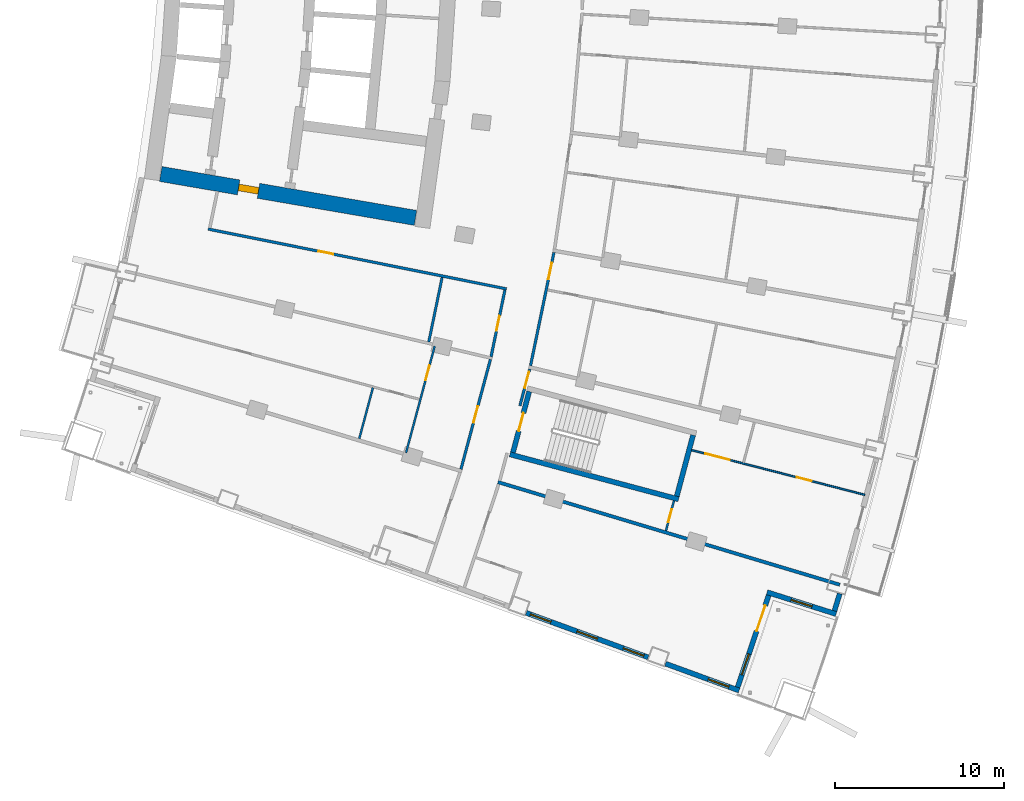
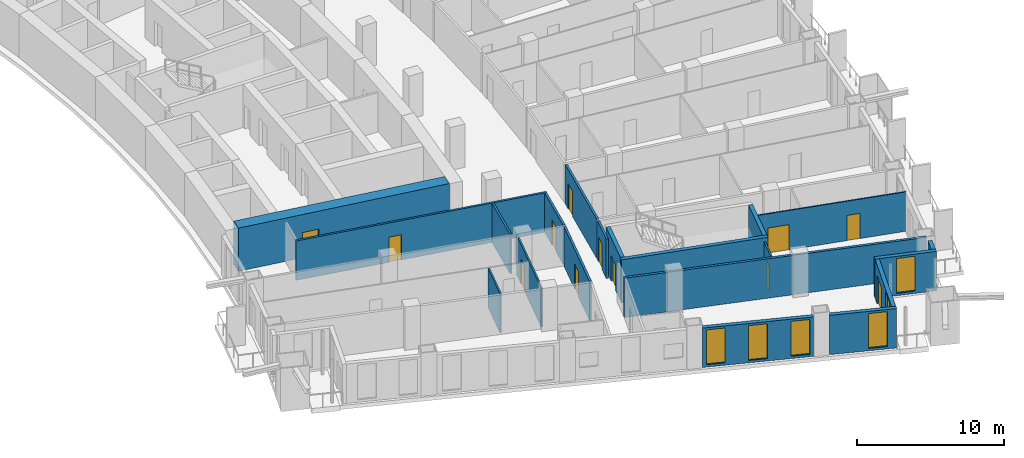
# One storey, part 12 of 23: 20 walls, 12 doors, 6 windows, 18 openings.
"""IFC4 building model written with IfcOpenShell, lengths in metres."""

from ifc_helpers import new_model, si_unit, direction, frame, frame_2d, origin, place, context, subcontext, project, spatial, rectangle, extrude, material, layer, layer_set, type_object, element, fill, save


model = new_model("IFC4")

# Units and contexts
model_context = context("Model", 3, precision=1e-05, world=origin(), true_north=direction((0.0, 1.0)))
body_context = subcontext(model_context, "Body", "Model", "MODEL_VIEW")
ifc_project = project(units=[si_unit("LENGTHUNIT", "METRE"), si_unit("AREAUNIT", "SQUARE_METRE"), si_unit("VOLUMEUNIT", "CUBIC_METRE"), si_unit("PLANEANGLEUNIT", "RADIAN"), si_unit("MASSUNIT", "GRAM", prefix="KILO")], contexts=[model_context])

# Site, building, storey
site_placement = place(None, origin())
site = spatial("IfcSite", under=ifc_project, at=site_placement, CompositionType="ELEMENT")
building_placement = place(site_placement, origin())
building = spatial("IfcBuilding", under=site, at=building_placement, Name="Alderwake Tower", CompositionType="ELEMENT")
storey_placement = place(building_placement, frame((0.0, 0.0, 71.60009765625)))
storey = spatial("IfcBuildingStorey", under=building, at=storey_placement, Name="L17", CompositionType="ELEMENT", Elevation=71.60009765625)

# Wall, opening, door
ifc_material_1 = material(Name="Concrete C70/85", Category="concrete")
ifc_layer_1 = layer(ifc_material_1, 0.89990234375)
ifc_layer_set_1 = layer_set([ifc_layer_1], Name="Core wall outer 900 C70-85")
wall_type_1 = type_object("IfcWallType", Name="Core wall outer 900 C70-85", PredefinedType="SHEAR", material=ifc_layer_set_1)
wall_1_placement = place(storey_placement, frame((31.11328125, 41.846923828125, 0.0), z_axis=(0.0, 0.0, 1.0), x_axis=(-0.985466640605, 0.169869067972, 0.0)))
wall_1 = element("IfcWall", 1, at=wall_1_placement, inside=storey, type_object=wall_type_1, Name="Core wall CW.070", PredefinedType="SHEAR", context=body_context, shape_type="SweptSolid", body=[
    extrude(rectangle(XDim=15.336669921875, YDim=0.89990234375, at=frame_2d((7.66845703125, 0.0))), origin(), (0.0, 0.0, 1.0), 3.599853515625),
])
opening_1_placement = place(wall_1_placement, frame((9.451904296875, 0.0, 0.0)))
opening_1 = element("IfcOpeningElement", 2, at=opening_1_placement, cuts=wall_1, Name="Opening C003", PredefinedType="OPENING", context=body_context, shape_type="SweptSolid", body=[
    extrude(rectangle(XDim=1.199951171875, YDim=2.10009765625, at=frame_2d((0.60009765625, 1.050048828125))), frame((0.0, 0.4599609375, 0.0), z_axis=(0.0, -1.0, 0.0), x_axis=(1.0, 0.0, 0.0)), (0.0, 0.0, 1.0), 0.919921875),
])
ifc_material_2 = material(Name="Steel-framed fire door leaf", Category="steel")
door_type_1 = type_object("IfcDoorType", Name="Core lobby exit door 1200 fire-rated", OperationType="SINGLE_SWING_LEFT", PredefinedType="DOOR", material=ifc_material_2)
door_1_placement = place(opening_1_placement, origin())
door_1 = element("IfcDoor", 3, at=door_1_placement, inside=storey, type_object=door_type_1, Name="Lobby door", OperationType="SINGLE_SWING_LEFT", OverallHeight=2.10009765625, OverallWidth=1.199951171875, PredefinedType="DOOR", context=body_context, shape_type="SweptSolid", body=[
    extrude(rectangle(XDim=1.199951171875, YDim=2.10009765625, at=frame_2d((0.60009765625, 1.050048828125))), frame((0.0, 0.199951171875, 0.0), z_axis=(0.0, -1.0, 0.0), x_axis=(1.0, 0.0, 0.0)), (0.0, 0.0, 1.0), 0.39990234375),
])
fill(opening_1, door_1)

# Wall
ifc_material_3 = material(Name="Concrete C70/85", Category="concrete")
ifc_layer_2 = layer(ifc_material_3, 0.300048828125)
ifc_layer_set_2 = layer_set([ifc_layer_2], Name="Core wall stair enclosure 300 C70-85")
wall_type_2 = type_object("IfcWallType", Name="Core wall stair enclosure 300 C70-85", PredefinedType="SHEAR", material=ifc_layer_set_2)
wall_2_placement = place(storey_placement, frame((36.71142578125, 27.817626953125, 0.0), z_axis=(0.0, 0.0, 1.0), x_axis=(0.966309214305, -0.257383958996, 0.0)))
element("IfcWall", 4, at=wall_2_placement, inside=storey, type_object=wall_type_2, Name="Core wall CW.088", PredefinedType="SHEAR", context=body_context, shape_type="SweptSolid", body=[
    extrude(rectangle(XDim=10.360107421875, YDim=0.300048828125, at=frame_2d((5.18017578125, 0.0))), origin(), (0.0, 0.0, 1.0), 3.599853515625),
])

# Wall, opening, door
wall_3_placement = place(storey_placement, frame((36.89501953125, 27.923828125, 0.0), z_axis=(0.0, 0.0, 1.0), x_axis=(0.257350630826, 0.966318090907, 0.0)))
wall_3 = element("IfcWall", 5, at=wall_3_placement, inside=storey, type_object=wall_type_2, Name="Core wall CW.087", PredefinedType="SHEAR", context=body_context, shape_type="SweptSolid", body=[
    extrude(rectangle(XDim=3.75, YDim=0.300048828125, at=frame_2d((1.875, 0.0))), origin(), (0.0, 0.0, 1.0), 3.599853515625),
])
opening_2_placement = place(wall_3_placement, frame((1.324951171875, 0.0, 0.0)))
opening_2 = element("IfcOpeningElement", 6, at=opening_2_placement, cuts=wall_3, Name="Opening C065", PredefinedType="OPENING", context=body_context, shape_type="SweptSolid", body=[
    extrude(rectangle(XDim=1.10009765625, YDim=2.10009765625, at=frame_2d((0.550048828125, 1.050048828125))), frame((0.0, 0.159912109375, 0.0), z_axis=(0.0, -1.0, 0.0), x_axis=(1.0, 0.0, 0.0)), (0.0, 0.0, 1.0), 0.320068359375),
])
ifc_material_4 = material(Name="Steel-framed fire door leaf", Category="steel")
door_type_2 = type_object("IfcDoorType", Name="Core stair door 1100 fire-rated", OperationType="SINGLE_SWING_LEFT", PredefinedType="DOOR", material=ifc_material_4)
door_2_placement = place(opening_2_placement, origin())
door_2 = element("IfcDoor", 7, at=door_2_placement, inside=storey, type_object=door_type_2, Name="Stair door", OperationType="SINGLE_SWING_LEFT", OverallHeight=2.10009765625, OverallWidth=1.10009765625, PredefinedType="DOOR", context=body_context, shape_type="SweptSolid", body=[
    extrude(rectangle(XDim=1.10009765625, YDim=2.10009765625, at=frame_2d((0.550048828125, 1.050048828125))), frame((0.0, 0.02490234375, 0.0), z_axis=(0.0, -1.0, 0.0), x_axis=(1.0, 0.0, 0.0)), (0.0, 0.0, 1.0), 0.050048828125),
])
fill(opening_2, door_2)

# Wall
wall_4_placement = place(storey_placement, frame((46.6162109375, 25.334716796875, 0.0), z_axis=(0.0, 0.0, 1.0), x_axis=(0.257366821694, 0.966313778796, 0.0)))
element("IfcWall", 8, at=wall_4_placement, inside=storey, type_object=wall_type_2, Name="Core wall CW.085", PredefinedType="SHEAR", context=body_context, shape_type="SweptSolid", body=[
    extrude(rectangle(XDim=3.749755859375, YDim=0.300048828125, at=frame_2d((1.875, 0.0))), origin(), (0.0, 0.0, 1.0), 3.599853515625),
])

# Wall, opening, door
ifc_material_5 = material(Name="Gypsum board on metal studs, rated")
ifc_layer_3 = layer(ifc_material_5, 0.159912109375)
ifc_layer_set_3 = layer_set([ifc_layer_3], Name="Corridor wall 160")
wall_type_3 = type_object("IfcWallType", Name="Corridor wall 160", PredefinedType="PARTITIONING", material=ifc_layer_set_3)
wall_5_placement = place(storey_placement, frame((36.513427734375, 37.63427734375, 0.0), z_axis=(0.0, 0.0, 1.0), x_axis=(-0.980470254867, 0.1966674333, 0.0)))
wall_5 = element("IfcWall", 9, at=wall_5_placement, inside=storey, type_object=wall_type_3, Name="WL/L17/W18", PredefinedType="PARTITIONING", context=body_context, shape_type="SweptSolid", body=[
    extrude(rectangle(XDim=18.053466796875, YDim=0.159912109375, at=frame_2d((9.02685546875, 0.0))), origin(), (0.0, 0.0, 1.0), 3.27978515625),
])
opening_3_placement = place(wall_5_placement, frame((10.476806640625, 0.0, 0.0)))
opening_3 = element("IfcOpeningElement", 10, at=opening_3_placement, cuts=wall_5, Name="Opening R04-SBS1", PredefinedType="OPENING", context=body_context, shape_type="SweptSolid", body=[
    extrude(rectangle(XDim=0.89990234375, YDim=2.10009765625, at=frame_2d((0.449951171875, 1.050048828125))), frame((0.0, 0.08984375, 0.0), z_axis=(0.0, -1.0, 0.0), x_axis=(1.0, 0.0, 0.0)), (0.0, 0.0, 1.0), 0.179931640625),
])
ifc_material_6 = material(Name="Painted timber leaf", Category="wood")
door_type_3 = type_object("IfcDoorType", Name="Room door 900", OperationType="SINGLE_SWING_LEFT", PredefinedType="DOOR", material=ifc_material_6)
door_3_placement = place(opening_3_placement, origin())
door_3 = element("IfcDoor", 11, at=door_3_placement, inside=storey, type_object=door_type_3, Name="DR/L17/SBS1", OperationType="SINGLE_SWING_LEFT", OverallHeight=2.10009765625, OverallWidth=0.89990234375, PredefinedType="DOOR", context=body_context, shape_type="SweptSolid", body=[
    extrude(rectangle(XDim=0.89990234375, YDim=2.10009765625, at=frame_2d((0.449951171875, 1.050048828125))), frame((0.0, 0.02490234375, 0.0), z_axis=(0.0, -1.0, 0.0), x_axis=(1.0, 0.0, 0.0)), (0.0, 0.0, 1.0), 0.050048828125),
])
fill(opening_3, door_3)

wall_6_placement = place(storey_placement, frame((33.808837890625, 26.9345703125, 0.0), z_axis=(0.0, 0.0, 1.0), x_axis=(0.259298911818, 0.965797118618, 0.0)))
wall_6 = element("IfcWall", 12, at=wall_6_placement, inside=storey, type_object=wall_type_3, Name="WL/L17/W25", PredefinedType="PARTITIONING", context=body_context, shape_type="SweptSolid", body=[
    extrude(rectangle(XDim=6.75, YDim=0.159912109375, at=frame_2d((3.375, 0.0))), origin(), (0.0, 0.0, 1.0), 3.27978515625),
])
opening_4_placement = place(wall_6_placement, frame((2.875, 0.0, 0.0)))
opening_4 = element("IfcOpeningElement", 13, at=opening_4_placement, cuts=wall_6, Name="Opening R04-U13.1", PredefinedType="OPENING", context=body_context, shape_type="SweptSolid", body=[
    extrude(rectangle(XDim=1.0, YDim=2.10009765625, at=frame_2d((0.5, 1.050048828125))), frame((0.0, 0.08984375, 0.0), z_axis=(0.0, -1.0, 0.0), x_axis=(1.0, 0.0, 0.0)), (0.0, 0.0, 1.0), 0.179931640625),
])
ifc_material_7 = material(Name="Solid timber leaf in steel frame", Category="steel")
door_type_4 = type_object("IfcDoorType", Name="Flat entrance door 1000 fire-rated", OperationType="SINGLE_SWING_LEFT", PredefinedType="DOOR", material=ifc_material_7)
door_4_placement = place(opening_4_placement, origin())
door_4 = element("IfcDoor", 14, at=door_4_placement, inside=storey, type_object=door_type_4, Name="DR/L17/U13.1", OperationType="SINGLE_SWING_LEFT", OverallHeight=2.10009765625, OverallWidth=1.0, PredefinedType="DOOR", context=body_context, shape_type="SweptSolid", body=[
    extrude(rectangle(XDim=1.0, YDim=2.10009765625, at=frame_2d((0.5, 1.050048828125))), frame((0.0, 0.02490234375, 0.0), z_axis=(0.0, -1.0, 0.0), x_axis=(1.0, 0.0, 0.0)), (0.0, 0.0, 1.0), 0.050048828125),
])
fill(opening_4, door_4)

wall_7_placement = place(storey_placement, frame((35.59619140625, 33.609375, 0.0), z_axis=(0.0, 0.0, 1.0), x_axis=(0.203245920818, 0.979127721838, 0.0)))
wall_7 = element("IfcWall", 15, at=wall_7_placement, inside=storey, type_object=wall_type_3, Name="WL/L17/W30", PredefinedType="PARTITIONING", context=body_context, shape_type="SweptSolid", body=[
    extrude(rectangle(XDim=4.046875, YDim=0.159912109375, at=frame_2d((2.0234375, 0.0))), origin(), (0.0, 0.0, 1.0), 3.27978515625),
])
opening_5_placement = place(wall_7_placement, frame((1.573486328125, 0.0, 0.0)))
opening_5 = element("IfcOpeningElement", 16, at=opening_5_placement, cuts=wall_7, Name="Opening R04-SBS2", PredefinedType="OPENING", context=body_context, shape_type="SweptSolid", body=[
    extrude(rectangle(XDim=0.89990234375, YDim=2.10009765625, at=frame_2d((0.449951171875, 1.050048828125))), frame((0.0, 0.08984375, 0.0), z_axis=(0.0, -1.0, 0.0), x_axis=(1.0, 0.0, 0.0)), (0.0, 0.0, 1.0), 0.179931640625),
])
door_5_placement = place(opening_5_placement, origin())
door_5 = element("IfcDoor", 17, at=door_5_placement, inside=storey, type_object=door_type_3, Name="DR/L17/SBS2", OperationType="SINGLE_SWING_LEFT", OverallHeight=2.10009765625, OverallWidth=0.89990234375, PredefinedType="DOOR", context=body_context, shape_type="SweptSolid", body=[
    extrude(rectangle(XDim=0.89990234375, YDim=2.10009765625, at=frame_2d((0.449951171875, 1.050048828125))), frame((0.0, 0.02490234375, 0.0), z_axis=(0.0, -1.0, 0.0), x_axis=(1.0, 0.0, 0.0)), (0.0, 0.0, 1.0), 0.050048828125),
])
fill(opening_5, door_5)

wall_8_placement = place(storey_placement, frame((37.89111328125, 32.87939453125, 0.0), z_axis=(0.0, 0.0, 1.0), x_axis=(-0.259620578816, -0.965710699462, 0.0)))
wall_8 = element("IfcWall", 18, at=wall_8_placement, inside=storey, type_object=wall_type_3, Name="WL/L17/W33", PredefinedType="PARTITIONING", context=body_context, shape_type="SweptSolid", body=[
    extrude(rectangle(XDim=2.2578125, YDim=0.159912109375, at=frame_2d((1.12890625, 0.0))), origin(), (0.0, 0.0, 1.0), 3.27978515625),
])
opening_6_placement = place(wall_8_placement, frame((0.1708984375, 0.0, 0.0)))
opening_6 = element("IfcOpeningElement", 19, at=opening_6_placement, cuts=wall_8, Name="Opening R04-U01.1", PredefinedType="OPENING", context=body_context, shape_type="SweptSolid", body=[
    extrude(rectangle(XDim=1.0, YDim=2.10009765625, at=frame_2d((0.5, 1.050048828125))), frame((0.0, 0.08984375, 0.0), z_axis=(0.0, -1.0, 0.0), x_axis=(1.0, 0.0, 0.0)), (0.0, 0.0, 1.0), 0.179931640625),
])
door_6_placement = place(opening_6_placement, origin())
door_6 = element("IfcDoor", 20, at=door_6_placement, inside=storey, type_object=door_type_4, Name="DR/L17/U01.1", OperationType="SINGLE_SWING_LEFT", OverallHeight=2.10009765625, OverallWidth=1.0, PredefinedType="DOOR", context=body_context, shape_type="SweptSolid", body=[
    extrude(rectangle(XDim=1.0, YDim=2.10009765625, at=frame_2d((0.5, 1.050048828125))), frame((0.0, 0.02490234375, 0.0), z_axis=(0.0, -1.0, 0.0), x_axis=(1.0, 0.0, 0.0)), (0.0, 0.0, 1.0), 0.050048828125),
])
fill(opening_6, door_6)

wall_9_placement = place(storey_placement, frame((39.32763671875, 39.799072265625, 0.0), z_axis=(0.0, 0.0, 1.0), x_axis=(-0.202463357072, -0.97928983914, 0.0)))
wall_9 = element("IfcWall", 21, at=wall_9_placement, inside=storey, type_object=wall_type_3, Name="WL/L17/W34", PredefinedType="PARTITIONING", context=body_context, shape_type="SweptSolid", body=[
    extrude(rectangle(XDim=6.867431640625, YDim=0.159912109375, at=frame_2d((3.43359375, 0.0))), origin(), (0.0, 0.0, 1.0), 3.27978515625),
])
opening_7_placement = place(wall_9_placement, frame((0.62744140625, 0.0, 0.0)))
opening_7 = element("IfcOpeningElement", 22, at=opening_7_placement, cuts=wall_9, Name="Opening R04-U05.2", PredefinedType="OPENING", context=body_context, shape_type="SweptSolid", body=[
    extrude(rectangle(XDim=1.0, YDim=2.10009765625, at=frame_2d((0.5, 1.050048828125))), frame((0.0, 0.08984375, 0.0), z_axis=(0.0, -1.0, 0.0), x_axis=(1.0, 0.0, 0.0)), (0.0, 0.0, 1.0), 0.179931640625),
])
door_7_placement = place(opening_7_placement, origin())
door_7 = element("IfcDoor", 23, at=door_7_placement, inside=storey, type_object=door_type_4, Name="DR/L17/U05.2", OperationType="SINGLE_SWING_LEFT", OverallHeight=2.10009765625, OverallWidth=1.0, PredefinedType="DOOR", context=body_context, shape_type="SweptSolid", body=[
    extrude(rectangle(XDim=1.0, YDim=2.10009765625, at=frame_2d((0.5, 1.050048828125))), frame((0.0, 0.02490234375, 0.0), z_axis=(0.0, -1.0, 0.0), x_axis=(1.0, 0.0, 0.0)), (0.0, 0.0, 1.0), 0.050048828125),
])
fill(opening_7, door_7)

# Wall
ifc_material_8 = material(Name="Precast concrete C50/60 spandrel panel", Category="concrete")
ifc_layer_4 = layer(ifc_material_8, 0.300048828125)
ifc_layer_set_4 = layer_set([ifc_layer_4], Name="External wall EW1 Precast concrete C50/60 spandrel")
wall_type_4 = type_object("IfcWallType", Name="External wall EW1 Precast concrete C50/60 spandrel", PredefinedType="SOLIDWALL", material=ifc_layer_set_4)
wall_10_placement = place(storey_placement, frame((55.968994140625, 18.53125, 0.0), z_axis=(0.0, 0.0, 1.0), x_axis=(0.29467833964, 0.955596502791, 0.0)))
element("IfcWall", 24, at=wall_10_placement, inside=storey, type_object=wall_type_4, Name="External wall 11", PredefinedType="SOLIDWALL", context=body_context, shape_type="SweptSolid", body=[
    extrude(rectangle(XDim=1.0712890625, YDim=0.300048828125, at=frame_2d((0.53564453125, 0.0))), origin(), (0.0, 0.0, 1.0), 3.27978515625),
])

# Wall, openings, windows
ifc_material_9 = material(Name="Bronze metal cladding on lightweight framing")
ifc_layer_5 = layer(ifc_material_9, 0.300048828125)
ifc_layer_set_5 = layer_set([ifc_layer_5], Name="External wall EW2 bronze metal cladding")
wall_type_5 = type_object("IfcWallType", Name="External wall EW2 bronze metal cladding", PredefinedType="SOLIDWALL", material=ifc_layer_set_5)
wall_11_placement = place(storey_placement, frame((37.68310546875, 18.414794921875, 0.0), z_axis=(0.0, 0.0, 1.0), x_axis=(0.939374999544, -0.342891542958, 0.0)))
wall_11 = element("IfcWall", 25, at=wall_11_placement, inside=storey, type_object=wall_type_5, Name="External wall 7", PredefinedType="SOLIDWALL", context=body_context, shape_type="SweptSolid", body=[
    extrude(rectangle(XDim=7.696044921875, YDim=0.300048828125, at=frame_2d((3.84814453125, 0.0))), origin(), (0.0, 0.0, 1.0), 3.27978515625),
])
opening_8_placement = place(wall_11_placement, frame((0.264404296875, 0.0, 0.199951171875)))
opening_8 = element("IfcOpeningElement", 26, at=opening_8_placement, cuts=wall_11, Name="Opening W1", PredefinedType="OPENING", context=body_context, shape_type="SweptSolid", body=[
    extrude(rectangle(XDim=1.300048828125, YDim=2.89990234375, at=frame_2d((0.64990234375, 1.449951171875))), frame((0.0, 0.159912109375, 0.0), z_axis=(0.0, -1.0, 0.0), x_axis=(1.0, 0.0, 0.0)), (0.0, 0.0, 1.0), 0.320068359375),
])
opening_9_placement = place(wall_11_placement, frame((3.197998046875, 0.0, 0.199951171875)))
opening_9 = element("IfcOpeningElement", 27, at=opening_9_placement, cuts=wall_11, Name="Opening W1", PredefinedType="OPENING", context=body_context, shape_type="SweptSolid", body=[
    extrude(rectangle(XDim=1.300048828125, YDim=2.89990234375, at=frame_2d((0.64990234375, 1.449951171875))), frame((0.0, 0.159912109375, 0.0), z_axis=(0.0, -1.0, 0.0), x_axis=(1.0, 0.0, 0.0)), (0.0, 0.0, 1.0), 0.320068359375),
])
opening_10_placement = place(wall_11_placement, frame((6.13134765625, 0.0, 0.199951171875)))
opening_10 = element("IfcOpeningElement", 28, at=opening_10_placement, cuts=wall_11, Name="Opening W1", PredefinedType="OPENING", context=body_context, shape_type="SweptSolid", body=[
    extrude(rectangle(XDim=1.300048828125, YDim=2.89990234375, at=frame_2d((0.64990234375, 1.449951171875))), frame((0.0, 0.159912109375, 0.0), z_axis=(0.0, -1.0, 0.0), x_axis=(1.0, 0.0, 0.0)), (0.0, 0.0, 1.0), 0.320068359375),
])
ifc_material_10 = material(Name="Bronze tinted glass in aluminium frame", Category="aluminium")
window_type = type_object("IfcWindowType", Name="Window W1 tall fixed and vent", PartitioningType="DOUBLE_PANEL_VERTICAL", PredefinedType="WINDOW", material=ifc_material_10)
window_1_placement = place(opening_8_placement, origin())
window_1 = element("IfcWindow", 29, at=window_1_placement, inside=storey, type_object=window_type, Name="Window W1 tall fixed and vent", OverallHeight=2.89990234375, OverallWidth=1.300048828125, PartitioningType="DOUBLE_PANEL_VERTICAL", PredefinedType="WINDOW", context=body_context, shape_type="SweptSolid", body=[
    extrude(rectangle(XDim=1.300048828125, YDim=2.89990234375, at=frame_2d((0.64990234375, 1.449951171875))), frame((0.0, 0.030029296875, 0.0), z_axis=(0.0, -1.0, 0.0), x_axis=(1.0, 0.0, 0.0)), (0.0, 0.0, 1.0), 0.06005859375),
])
fill(opening_8, window_1)
window_2_placement = place(opening_9_placement, origin())
window_2 = element("IfcWindow", 30, at=window_2_placement, inside=storey, type_object=window_type, Name="Window W1 tall fixed and vent", OverallHeight=2.89990234375, OverallWidth=1.300048828125, PartitioningType="DOUBLE_PANEL_VERTICAL", PredefinedType="WINDOW", context=body_context, shape_type="SweptSolid", body=[
    extrude(rectangle(XDim=1.300048828125, YDim=2.89990234375, at=frame_2d((0.64990234375, 1.449951171875))), frame((0.0, 0.030029296875, 0.0), z_axis=(0.0, -1.0, 0.0), x_axis=(1.0, 0.0, 0.0)), (0.0, 0.0, 1.0), 0.06005859375),
])
fill(opening_9, window_2)
window_3_placement = place(opening_10_placement, origin())
window_3 = element("IfcWindow", 31, at=window_3_placement, inside=storey, type_object=window_type, Name="Window W1 tall fixed and vent", OverallHeight=2.89990234375, OverallWidth=1.300048828125, PartitioningType="DOUBLE_PANEL_VERTICAL", PredefinedType="WINDOW", context=body_context, shape_type="SweptSolid", body=[
    extrude(rectangle(XDim=1.300048828125, YDim=2.89990234375, at=frame_2d((0.64990234375, 1.449951171875))), frame((0.0, 0.030029296875, 0.0), z_axis=(0.0, -1.0, 0.0), x_axis=(1.0, 0.0, 0.0)), (0.0, 0.0, 1.0), 0.06005859375),
])
fill(opening_10, window_3)

# Wall, opening, window
wall_12_placement = place(storey_placement, frame((45.94970703125, 15.3974609375, 0.0), z_axis=(0.0, 0.0, 1.0), x_axis=(0.939360006806, -0.342932613807, 0.0)))
wall_12 = element("IfcWall", 32, at=wall_12_placement, inside=storey, type_object=wall_type_5, Name="External wall 8", PredefinedType="SOLIDWALL", context=body_context, shape_type="SweptSolid", body=[
    extrude(rectangle(XDim=4.64599609375, YDim=0.300048828125, at=frame_2d((2.322998046875, 0.0))), origin(), (0.0, 0.0, 1.0), 3.27978515625),
])
opening_11_placement = place(wall_12_placement, frame((2.6962890625, 0.0, 0.199951171875)))
opening_11 = element("IfcOpeningElement", 33, at=opening_11_placement, cuts=wall_12, Name="Opening W1", PredefinedType="OPENING", context=body_context, shape_type="SweptSolid", body=[
    extrude(rectangle(XDim=1.300048828125, YDim=2.89990234375, at=frame_2d((0.64990234375, 1.449951171875))), frame((0.0, 0.159912109375, 0.0), z_axis=(0.0, -1.0, 0.0), x_axis=(1.0, 0.0, 0.0)), (0.0, 0.0, 1.0), 0.320068359375),
])
window_4_placement = place(opening_11_placement, origin())
window_4 = element("IfcWindow", 34, at=window_4_placement, inside=storey, type_object=window_type, Name="Window W1 tall fixed and vent", OverallHeight=2.89990234375, OverallWidth=1.300048828125, PartitioningType="DOUBLE_PANEL_VERTICAL", PredefinedType="WINDOW", context=body_context, shape_type="SweptSolid", body=[
    extrude(rectangle(XDim=1.300048828125, YDim=2.89990234375, at=frame_2d((0.64990234375, 1.449951171875))), frame((0.0, 0.030029296875, 0.0), z_axis=(0.0, -1.0, 0.0), x_axis=(1.0, 0.0, 0.0)), (0.0, 0.0, 1.0), 0.06005859375),
])
fill(opening_11, window_4)

# Wall, openings, door, window
wall_13_placement = place(storey_placement, frame((50.22119140625, 13.997802734375, 0.0), z_axis=(0.0, 0.0, 1.0), x_axis=(0.320867781559, 0.947123997562, 0.0)))
wall_13 = element("IfcWall", 35, at=wall_13_placement, inside=storey, type_object=wall_type_5, Name="External wall 9", PredefinedType="SOLIDWALL", context=body_context, shape_type="SweptSolid", body=[
    extrude(rectangle(XDim=5.7568359375, YDim=0.300048828125, at=frame_2d((2.87841796875, 0.0))), origin(), (0.0, 0.0, 1.0), 3.27978515625),
])
opening_12_placement = place(wall_13_placement, frame((0.789306640625, 0.0, 0.199951171875)))
opening_12 = element("IfcOpeningElement", 36, at=opening_12_placement, cuts=wall_13, Name="Opening W1", PredefinedType="OPENING", context=body_context, shape_type="SweptSolid", body=[
    extrude(rectangle(XDim=1.300048828125, YDim=2.89990234375, at=frame_2d((0.64990234375, 1.449951171875))), frame((0.0, 0.159912109375, 0.0), z_axis=(0.0, -1.0, 0.0), x_axis=(1.0, 0.0, 0.0)), (0.0, 0.0, 1.0), 0.320068359375),
])
opening_13_placement = place(wall_13_placement, frame((3.517578125, 0.0, 0.0)))
opening_13 = element("IfcOpeningElement", 37, at=opening_13_placement, cuts=wall_13, Name="Opening D02", PredefinedType="OPENING", context=body_context, shape_type="SweptSolid", body=[
    extrude(rectangle(XDim=1.60009765625, YDim=2.39990234375, at=frame_2d((0.800048828125, 1.199951171875))), frame((0.0, 0.159912109375, 0.0), z_axis=(0.0, -1.0, 0.0), x_axis=(1.0, 0.0, 0.0)), (0.0, 0.0, 1.0), 0.320068359375),
])
ifc_material_11 = material(Name="Bronze tinted glass in aluminium frame", Category="aluminium")
door_type_5 = type_object("IfcDoorType", Name="Terrace door TD sliding", OperationType="SLIDING_TO_LEFT", PredefinedType="DOOR", material=ifc_material_11)
door_8_placement = place(opening_13_placement, origin())
door_8 = element("IfcDoor", 38, at=door_8_placement, inside=storey, type_object=door_type_5, Name="Door D02", OperationType="SLIDING_TO_LEFT", OverallHeight=2.39990234375, OverallWidth=1.60009765625, PredefinedType="DOOR", context=body_context, shape_type="SweptSolid", body=[
    extrude(rectangle(XDim=1.60009765625, YDim=2.39990234375, at=frame_2d((0.800048828125, 1.199951171875))), frame((0.0, 0.02490234375, 0.0), z_axis=(0.0, -1.0, 0.0), x_axis=(1.0, 0.0, 0.0)), (0.0, 0.0, 1.0), 0.050048828125),
])
fill(opening_13, door_8)
window_5_placement = place(opening_12_placement, origin())
window_5 = element("IfcWindow", 39, at=window_5_placement, inside=storey, type_object=window_type, Name="Window W1 tall fixed and vent", OverallHeight=2.89990234375, OverallWidth=1.300048828125, PartitioningType="DOUBLE_PANEL_VERTICAL", PredefinedType="WINDOW", context=body_context, shape_type="SweptSolid", body=[
    extrude(rectangle(XDim=1.300048828125, YDim=2.89990234375, at=frame_2d((0.64990234375, 1.449951171875))), frame((0.0, 0.030029296875, 0.0), z_axis=(0.0, -1.0, 0.0), x_axis=(1.0, 0.0, 0.0)), (0.0, 0.0, 1.0), 0.06005859375),
])
fill(opening_12, window_5)

# Wall, opening, window
wall_14_placement = place(storey_placement, frame((51.973388671875, 19.637451171875, 0.0), z_axis=(0.0, 0.0, 1.0), x_axis=(0.953475206707, -0.301471441758, 0.0)))
wall_14 = element("IfcWall", 40, at=wall_14_placement, inside=storey, type_object=wall_type_5, Name="External wall 10", PredefinedType="SOLIDWALL", context=body_context, shape_type="SweptSolid", body=[
    extrude(rectangle(XDim=4.29443359375, YDim=0.300048828125, at=frame_2d((2.147216796875, 0.0))), origin(), (0.0, 0.0, 1.0), 3.27978515625),
])
opening_14_placement = place(wall_14_placement, frame((1.4970703125, 0.0, 0.199951171875)))
opening_14 = element("IfcOpeningElement", 41, at=opening_14_placement, cuts=wall_14, Name="Opening W1", PredefinedType="OPENING", context=body_context, shape_type="SweptSolid", body=[
    extrude(rectangle(XDim=1.300048828125, YDim=2.89990234375, at=frame_2d((0.64990234375, 1.449951171875))), frame((0.0, 0.159912109375, 0.0), z_axis=(0.0, -1.0, 0.0), x_axis=(1.0, 0.0, 0.0)), (0.0, 0.0, 1.0), 0.320068359375),
])
window_6_placement = place(opening_14_placement, origin())
window_6 = element("IfcWindow", 42, at=window_6_placement, inside=storey, type_object=window_type, Name="Window W1 tall fixed and vent", OverallHeight=2.89990234375, OverallWidth=1.300048828125, PartitioningType="DOUBLE_PANEL_VERTICAL", PredefinedType="WINDOW", context=body_context, shape_type="SweptSolid", body=[
    extrude(rectangle(XDim=1.300048828125, YDim=2.89990234375, at=frame_2d((0.64990234375, 1.449951171875))), frame((0.0, 0.030029296875, 0.0), z_axis=(0.0, -1.0, 0.0), x_axis=(1.0, 0.0, 0.0)), (0.0, 0.0, 1.0), 0.06005859375),
])
fill(opening_14, window_6)

# Walls
ifc_material_12 = material(Name="Dense block masonry wall", Category="masonry")
ifc_layer_6 = layer(ifc_material_12, 0.199951171875)
ifc_layer_set_6 = layer_set([ifc_layer_6], Name="Party wall 200")
wall_type_6 = type_object("IfcWallType", Name="Party wall 200", PredefinedType="SOLIDWALL", material=ifc_layer_set_6)
wall_15_placement = place(storey_placement, frame((36.00439453125, 26.1708984375, 0.0), z_axis=(0.0, 0.0, 1.0), x_axis=(0.957781220671, -0.287498057958, 0.0)))
element("IfcWall", 43, at=wall_15_placement, inside=storey, type_object=wall_type_6, Name="WL/L17/W05", PredefinedType="SOLIDWALL", context=body_context, shape_type="SweptSolid", body=[
    extrude(rectangle(XDim=21.1787109375, YDim=0.199951171875, at=frame_2d((10.58935546875, 0.0))), origin(), (0.0, 0.0, 1.0), 3.27978515625),
])
ifc_material_13 = material(Name="Gypsum shaft wall system, rated")
ifc_layer_7 = layer(ifc_material_13, 0.14990234375)
ifc_layer_set_7 = layer_set([ifc_layer_7], Name="Riser and shaft wall 150")
wall_type_7 = type_object("IfcWallType", Name="Riser and shaft wall 150", PredefinedType="PARTITIONING", material=ifc_layer_set_7)
wall_16_placement = place(storey_placement, frame((31.900146484375, 34.48828125, 0.0), z_axis=(0.0, 0.0, 1.0), x_axis=(0.20266545775, 0.979248034073, 0.0)))
element("IfcWall", 44, at=wall_16_placement, inside=storey, type_object=wall_type_7, Name="WL/L17/W15", PredefinedType="PARTITIONING", context=body_context, shape_type="SweptSolid", body=[
    extrude(rectangle(XDim=3.911376953125, YDim=0.14990234375, at=frame_2d((1.95556640625, 0.0))), origin(), (0.0, 0.0, 1.0), 3.27978515625),
])

# Wall, openings, doors
ifc_material_14 = material(Name="Gypsum board on metal studs")
ifc_layer_8 = layer(ifc_material_14, 0.10009765625)
ifc_layer_set_8 = layer_set([ifc_layer_8], Name="Unit partition 100")
wall_type_8 = type_object("IfcWallType", Name="Unit partition 100", PredefinedType="PARTITIONING", material=ifc_layer_set_8)
wall_17_placement = place(storey_placement, frame((57.77392578125, 25.4130859375, 0.0), z_axis=(0.0, 0.0, 1.0), x_axis=(-0.968198811247, 0.250182057509, 0.0)))
wall_17 = element("IfcWall", 45, at=wall_17_placement, inside=storey, type_object=wall_type_8, Name="WL/L17/W78", PredefinedType="PARTITIONING", context=body_context, shape_type="SweptSolid", body=[
    extrude(rectangle(XDim=10.6123046875, YDim=0.10009765625, at=frame_2d((5.30615234375, 0.0))), origin(), (0.0, 0.0, 1.0), 3.27978515625),
])
opening_15_placement = place(wall_17_placement, frame((8.2802734375, 0.0, 0.0)))
opening_15 = element("IfcOpeningElement", 46, at=opening_15_placement, cuts=wall_17, Name="Opening R04-U01.2", PredefinedType="OPENING", context=body_context, shape_type="SweptSolid", body=[
    extrude(rectangle(XDim=1.5, YDim=2.10009765625, at=frame_2d((0.75, 1.050048828125))), frame((0.0, 0.06005859375, 0.0), z_axis=(0.0, -1.0, 0.0), x_axis=(1.0, 0.0, 0.0)), (0.0, 0.0, 1.0), 0.1201171875),
])
opening_16_placement = place(wall_17_placement, frame((3.2744140625, 0.0, 0.0)))
opening_16 = element("IfcOpeningElement", 47, at=opening_16_placement, cuts=wall_17, Name="Opening R04-U01.3", PredefinedType="OPENING", context=body_context, shape_type="SweptSolid", body=[
    extrude(rectangle(XDim=0.89990234375, YDim=2.10009765625, at=frame_2d((0.449951171875, 1.050048828125))), frame((0.0, 0.06005859375, 0.0), z_axis=(0.0, -1.0, 0.0), x_axis=(1.0, 0.0, 0.0)), (0.0, 0.0, 1.0), 0.1201171875),
])
ifc_material_15 = material(Name="Painted timber leaves", Category="wood")
door_type_6 = type_object("IfcDoorType", Name="Double leaf door 1500", OperationType="DOUBLE_DOOR_SINGLE_SWING", PredefinedType="DOOR", material=ifc_material_15)
door_9_placement = place(opening_15_placement, origin())
door_9 = element("IfcDoor", 48, at=door_9_placement, inside=storey, type_object=door_type_6, Name="DR/L17/U01.2", OperationType="DOUBLE_DOOR_SINGLE_SWING", OverallHeight=2.10009765625, OverallWidth=1.5, PredefinedType="DOOR", context=body_context, shape_type="SweptSolid", body=[
    extrude(rectangle(XDim=1.5, YDim=2.10009765625, at=frame_2d((0.75, 1.050048828125))), frame((0.0, 0.02490234375, 0.0), z_axis=(0.0, -1.0, 0.0), x_axis=(1.0, 0.0, 0.0)), (0.0, 0.0, 1.0), 0.050048828125),
])
fill(opening_15, door_9)
door_10_placement = place(opening_16_placement, origin())
door_10 = element("IfcDoor", 49, at=door_10_placement, inside=storey, type_object=door_type_3, Name="DR/L17/U01.3", OperationType="SINGLE_SWING_LEFT", OverallHeight=2.10009765625, OverallWidth=0.89990234375, PredefinedType="DOOR", context=body_context, shape_type="SweptSolid", body=[
    extrude(rectangle(XDim=0.89990234375, YDim=2.10009765625, at=frame_2d((0.449951171875, 1.050048828125))), frame((0.0, 0.02490234375, 0.0), z_axis=(0.0, -1.0, 0.0), x_axis=(1.0, 0.0, 0.0)), (0.0, 0.0, 1.0), 0.050048828125),
])
fill(opening_16, door_10)

# Wall
ifc_material_16 = material(Name="Moisture resistant gypsum board on metal studs")
ifc_layer_9 = layer(ifc_material_16, 0.1201171875)
ifc_layer_set_9 = layer_set([ifc_layer_9], Name="Wet room partition 120")
wall_type_9 = type_object("IfcWallType", Name="Wet room partition 120", PredefinedType="PARTITIONING", material=ifc_layer_set_9)
wall_18_placement = place(storey_placement, frame((28.586181640625, 31.769775390625, 0.0), z_axis=(0.0, 0.0, 1.0), x_axis=(-0.258890741102, -0.965906612552, 0.0)))
element("IfcWall", 50, at=wall_18_placement, inside=storey, type_object=wall_type_9, Name="WL/L17/W43", PredefinedType="PARTITIONING", context=body_context, shape_type="SweptSolid", body=[
    extrude(rectangle(XDim=3.1298828125, YDim=0.1201171875, at=frame_2d((1.56494140625, 0.0))), origin(), (0.0, 0.0, 1.0), 3.27978515625),
])

# Wall, opening, door
wall_19_placement = place(storey_placement, frame((30.551025390625, 27.91259765625, 0.0), z_axis=(0.0, 0.0, 1.0), x_axis=(0.259786390708, 0.965666107515, 0.0)))
wall_19 = element("IfcWall", 51, at=wall_19_placement, inside=storey, type_object=wall_type_9, Name="WL/L17/W47", PredefinedType="PARTITIONING", context=body_context, shape_type="SweptSolid", body=[
    extrude(rectangle(XDim=6.552001953125, YDim=0.1201171875, at=frame_2d((3.27587890625, 0.0))), origin(), (0.0, 0.0, 1.0), 3.27978515625),
])
opening_17_placement = place(wall_19_placement, frame((4.459228515625, 0.0, 0.0)))
opening_17 = element("IfcOpeningElement", 52, at=opening_17_placement, cuts=wall_19, Name="Opening R04-U13.2", PredefinedType="OPENING", context=body_context, shape_type="SweptSolid", body=[
    extrude(rectangle(XDim=0.89990234375, YDim=2.10009765625, at=frame_2d((0.449951171875, 1.050048828125))), frame((0.0, 0.070068359375, 0.0), z_axis=(0.0, -1.0, 0.0), x_axis=(1.0, 0.0, 0.0)), (0.0, 0.0, 1.0), 0.14013671875),
])
door_11_placement = place(opening_17_placement, origin())
door_11 = element("IfcDoor", 53, at=door_11_placement, inside=storey, type_object=door_type_3, Name="DR/L17/U13.2", OperationType="SINGLE_SWING_LEFT", OverallHeight=2.10009765625, OverallWidth=0.89990234375, PredefinedType="DOOR", context=body_context, shape_type="SweptSolid", body=[
    extrude(rectangle(XDim=0.89990234375, YDim=2.10009765625, at=frame_2d((0.449951171875, 1.050048828125))), frame((0.0, 0.02490234375, 0.0), z_axis=(0.0, -1.0, 0.0), x_axis=(1.0, 0.0, 0.0)), (0.0, 0.0, 1.0), 0.050048828125),
])
fill(opening_17, door_11)

wall_20_placement = place(storey_placement, frame((45.970947265625, 23.28369140625, 0.0), z_axis=(0.0, 0.0, 1.0), x_axis=(0.258764710752, 0.965940383497, 0.0)))
wall_20 = element("IfcWall", 54, at=wall_20_placement, inside=storey, type_object=wall_type_9, Name="WL/L17/W64", PredefinedType="PARTITIONING", context=body_context, shape_type="SweptSolid", body=[
    extrude(rectangle(XDim=1.847412109375, YDim=0.1201171875, at=frame_2d((0.923828125, 0.0))), origin(), (0.0, 0.0, 1.0), 3.27978515625),
])
opening_18_placement = place(wall_20_placement, frame((0.523681640625, 0.0, 0.0)))
opening_18 = element("IfcOpeningElement", 55, at=opening_18_placement, cuts=wall_20, Name="Opening R04-U01.4", PredefinedType="OPENING", context=body_context, shape_type="SweptSolid", body=[
    extrude(rectangle(XDim=0.800048828125, YDim=2.10009765625, at=frame_2d((0.39990234375, 1.050048828125))), frame((0.0, 0.070068359375, 0.0), z_axis=(0.0, -1.0, 0.0), x_axis=(1.0, 0.0, 0.0)), (0.0, 0.0, 1.0), 0.14013671875),
])
ifc_material_17 = material(Name="Painted timber leaf", Category="wood")
door_type_7 = type_object("IfcDoorType", Name="Bathroom door 800", OperationType="SINGLE_SWING_LEFT", PredefinedType="DOOR", material=ifc_material_17)
door_12_placement = place(opening_18_placement, origin())
door_12 = element("IfcDoor", 56, at=door_12_placement, inside=storey, type_object=door_type_7, Name="DR/L17/U01.4", OperationType="SINGLE_SWING_LEFT", OverallHeight=2.10009765625, OverallWidth=0.800048828125, PredefinedType="DOOR", context=body_context, shape_type="SweptSolid", body=[
    extrude(rectangle(XDim=0.800048828125, YDim=2.10009765625, at=frame_2d((0.39990234375, 1.050048828125))), frame((0.0, 0.02490234375, 0.0), z_axis=(0.0, -1.0, 0.0), x_axis=(1.0, 0.0, 0.0)), (0.0, 0.0, 1.0), 0.050048828125),
])
fill(opening_18, door_12)

save(model, "model.ifc")
